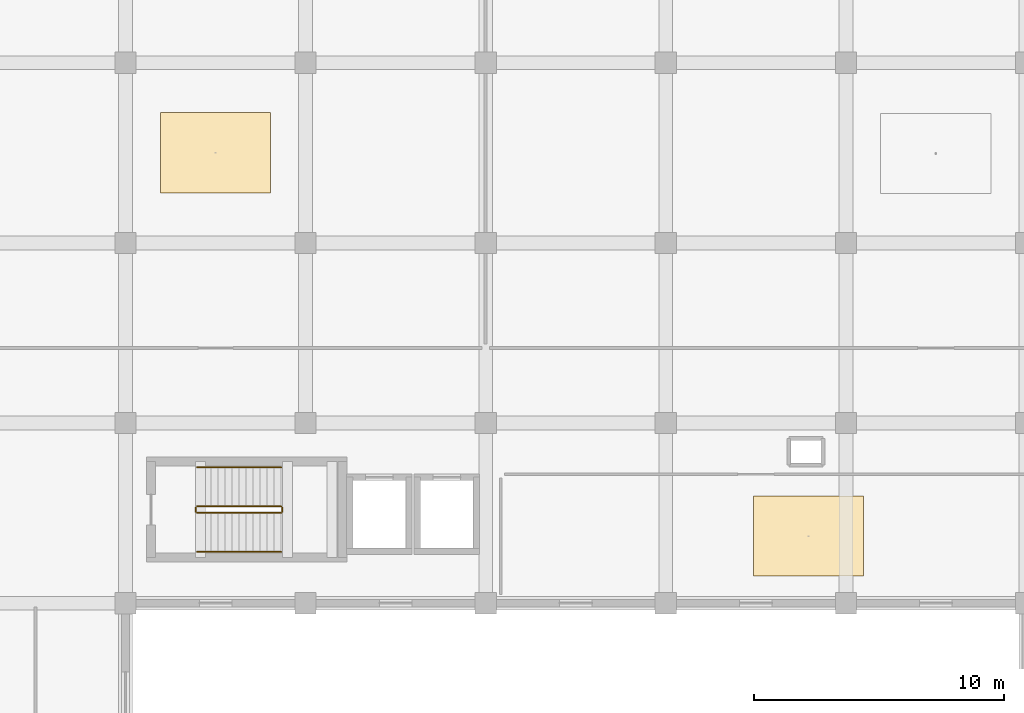
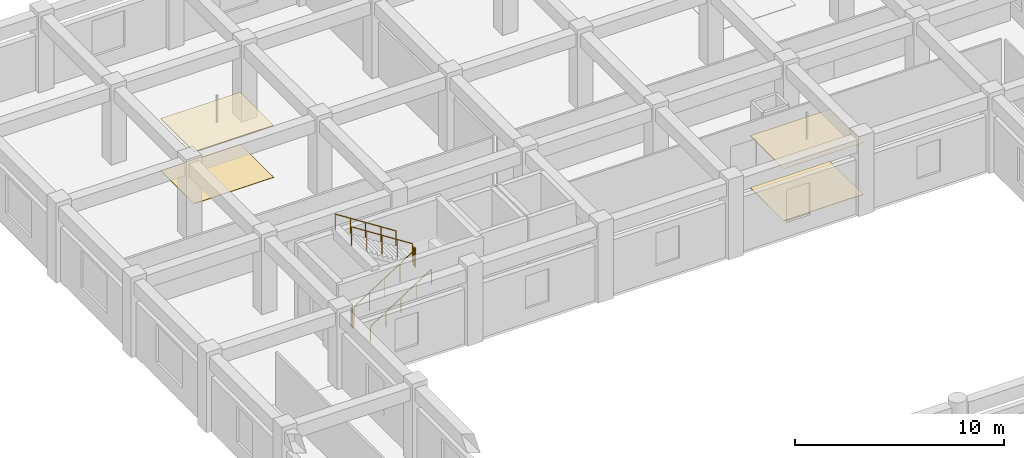
# One storey, part 53 of 54: 6 railings, 4 coverings.
"""IFC4 building model written with IfcOpenShell, lengths in metres."""

from ifc_helpers import new_model, si_unit, direction, frame, origin, origin_2d, place, context, subcontext, project, spatial, rectangle, circle, extrude, material, layer, layer_set, type_object, element, save


model = new_model("IFC4")

# Units and contexts
model_context = context("Model", 3, precision=1e-05, world=origin(), true_north=direction((0.0, 1.0)))
body_context = subcontext(model_context, "Body", "Model", "MODEL_VIEW")
ifc_project = project(units=[si_unit("LENGTHUNIT", "METRE"), si_unit("AREAUNIT", "SQUARE_METRE"), si_unit("VOLUMEUNIT", "CUBIC_METRE"), si_unit("PLANEANGLEUNIT", "RADIAN"), si_unit("MASSUNIT", "GRAM", prefix="KILO")], contexts=[model_context])

# Site, building, storey
site_placement = place(None, origin())
site = spatial("IfcSite", under=ifc_project, at=site_placement, CompositionType="ELEMENT")
building_placement = place(site_placement, origin())
building = spatial("IfcBuilding", under=site, at=building_placement, Name="Kazehaya Institute of Natural Sciences", CompositionType="ELEMENT")
storey_placement = place(building_placement, frame((0.0, 0.0, 10.43994140625)))
storey = spatial("IfcBuildingStorey", under=building, at=storey_placement, Name="L02", CompositionType="ELEMENT", Elevation=10.43994140625)

# Coverings
ifc_material_1 = material(Name="Mineral-fibre acoustic ceiling tile")
ifc_layer_1 = layer(ifc_material_1, 0.02490234375, Name="Mineral-fibre acoustic ceiling tile")
ifc_layer_set_1 = layer_set([ifc_layer_1], Name="Mineral-fibre acoustic ceiling tile")
covering_type_1 = type_object("IfcCoveringType", Name="COV-CEIL-AC", PredefinedType="CEILING", material=ifc_layer_set_1)
for number, where, z_axis, x_axis, name in (
    (1, (72.602294921875, 104.005615234375, 3.027587890625), (0.0, 0.0, 1.0), (1.0, 0.0, 0.0), "L02 Dry Computational Laboratory ceiling 29"),
    (2, (96.300048828125, 88.675048828125, 3.027587890625), (0.0, 0.0, 1.0), (1.0, 0.0, 0.0), "L02 Researcher Write-up Office ceiling 31"),
):
    element("IfcCovering", number, at=place(storey_placement, frame(where, z_axis=z_axis, x_axis=x_axis)), inside=storey, type_object=covering_type_1, Name=name, PredefinedType="CEILING", context=body_context, shape_type="SweptSolid", body=[
        extrude(rectangle(XDim=4.39990234375, YDim=3.199951171875, at=origin_2d()), origin(), (0.0, 0.0, 1.0), 0.02490234375),
    ])
ifc_material_2 = material(Name="Polished Sawara stone terrazzo flooring", Category="masonry")
ifc_layer_2 = layer(ifc_material_2, 0.02001953125, Name="Polished Sawara stone terrazzo flooring", Category="masonry")
ifc_layer_set_2 = layer_set([ifc_layer_2], Name="Polished Sawara stone terrazzo flooring")
covering_type_2 = type_object("IfcCoveringType", Name="COV-FLR-TRZ", PredefinedType="FLOORING", material=ifc_layer_set_2)
for number, where, z_axis, x_axis, name in (
    (3, (72.602294921875, 104.005615234375, 0.0), (0.0, 0.0, 1.0), (1.0, 0.0, 0.0), "L02 Dry Computational Laboratory finish flooring 29"),
    (4, (96.300048828125, 88.675048828125, 0.0), (0.0, 0.0, 1.0), (1.0, 0.0, 0.0), "L02 Researcher Write-up Office finish flooring 31"),
):
    element("IfcCovering", number, at=place(storey_placement, frame(where, z_axis=z_axis, x_axis=x_axis)), inside=storey, type_object=covering_type_2, Name=name, PredefinedType="FLOORING", context=body_context, shape_type="SweptSolid", body=[
        extrude(rectangle(XDim=4.39990234375, YDim=3.199951171875, at=origin_2d()), origin(), (0.0, 0.0, 1.0), 0.02001953125),
    ])

# Railings
ifc_material_3 = material(Name="Structural steel SN490B", Category="steel")
railing_type_1 = type_object("IfcRailingType", Name="RL-STAIR-GRD", PredefinedType="GUARDRAIL", material=ifc_material_3)
railing_1_placement = place(storey_placement, frame((71.860107421875, 89.610107421875, 0.18017578125)))
element("IfcRailing", 5, at=railing_1_placement, inside=storey, type_object=railing_type_1, Name="L02 ST-3 stair guard 1", PredefinedType="GUARDRAIL", context=body_context, shape_type="SweptSolid", body=[
    extrude(circle(Radius=0.02392578125, at=origin_2d()), frame((0.0, 0.0, 1.076171875), z_axis=(0.841178475377, 0.0, 0.540757591313), x_axis=(0.0, 1.0, 0.0)), (0.0, 0.0, 1.0), 3.994140625),
    extrude(circle(Radius=0.02099609375, at=origin_2d()), origin(), (0.0, 0.0, 1.0), 1.052001953125),
    extrude(circle(Radius=0.02099609375, at=origin_2d()), frame((0.83984375, 0.0, 0.5400390625)), (0.0, 0.0, 1.0), 1.052001953125),
    extrude(circle(Radius=0.02099609375, at=origin_2d()), frame((1.679931640625, 0.0, 1.080078125)), (0.0, 0.0, 1.0), 1.052001953125),
    extrude(circle(Radius=0.02099609375, at=origin_2d()), frame((2.52001953125, 0.0, 1.619873046875)), (0.0, 0.0, 1.0), 1.052001953125),
    extrude(circle(Radius=0.02099609375, at=origin_2d()), frame((3.35986328125, 0.0, 2.159912109375)), (0.0, 0.0, 1.0), 1.052001953125),
])
railing_2_placement = place(storey_placement, frame((75.27001953125, 89.659912109375, 2.340087890625)))
element("IfcRailing", 6, at=railing_2_placement, inside=storey, type_object=railing_type_1, Name="L02 ST-3 stair guard 2", PredefinedType="GUARDRAIL", context=body_context, shape_type="SweptSolid", body=[
    extrude(circle(Radius=0.02392578125, at=origin_2d()), frame((0.0, 0.0, 1.076171875), z_axis=(0.0, 1.0, 0.0), x_axis=(-1.0, 0.0, 0.0)), (0.0, 0.0, 1.0), 0.16015625),
    extrude(circle(Radius=0.02099609375, at=origin_2d()), origin(), (0.0, 0.0, 1.0), 1.052001953125),
    extrude(circle(Radius=0.02099609375, at=origin_2d()), frame((0.0, 0.16015625, 0.0)), (0.0, 0.0, 1.0), 1.052001953125),
])
railing_3_placement = place(storey_placement, frame((75.219970703125, 89.8701171875, 2.52001953125)))
element("IfcRailing", 7, at=railing_3_placement, inside=storey, type_object=railing_type_1, Name="L02 ST-3 stair guard 3", PredefinedType="GUARDRAIL", context=body_context, shape_type="SweptSolid", body=[
    extrude(circle(Radius=0.02392578125, at=origin_2d()), frame((0.0, 0.0, 1.076171875), z_axis=(-0.841150671818, 0.0, 0.540800838849), x_axis=(0.0, -1.0, 0.0)), (0.0, 0.0, 1.0), 3.994384765625),
    extrude(circle(Radius=0.02099609375, at=origin_2d()), origin(), (0.0, 0.0, 1.0), 1.052001953125),
    extrude(circle(Radius=0.02099609375, at=origin_2d()), frame((-0.83984375, 0.0, 0.5400390625)), (0.0, 0.0, 1.0), 1.052001953125),
    extrude(circle(Radius=0.02099609375, at=origin_2d()), frame((-1.679931640625, 0.0, 1.080078125)), (0.0, 0.0, 1.0), 1.052001953125),
    extrude(circle(Radius=0.02099609375, at=origin_2d()), frame((-2.52001953125, 0.0, 1.6201171875)), (0.0, 0.0, 1.0), 1.052001953125),
    extrude(circle(Radius=0.02099609375, at=origin_2d()), frame((-3.35986328125, 0.0, 2.16015625)), (0.0, 0.0, 1.0), 1.052001953125),
])
railing_4_placement = place(storey_placement, frame((71.81005859375, 89.659912109375, 0.0)))
element("IfcRailing", 8, at=railing_4_placement, inside=storey, type_object=railing_type_1, Name="L02 ST-3 stair guard 4", PredefinedType="GUARDRAIL", context=body_context, shape_type="SweptSolid", body=[
    extrude(circle(Radius=0.02392578125, at=origin_2d()), frame((0.0, 0.0, 1.076171875), z_axis=(0.0, 1.0, 0.0), x_axis=(-1.0, 0.0, 0.0)), (0.0, 0.0, 1.0), 0.16015625),
    extrude(circle(Radius=0.02099609375, at=origin_2d()), origin(), (0.0, 0.0, 1.0), 1.052001953125),
    extrude(circle(Radius=0.02099609375, at=origin_2d()), frame((0.0, 0.16015625, 0.0)), (0.0, 0.0, 1.0), 1.052001953125),
])
ifc_material_4 = material(Name="Brushed stainless steel handrail", Category="steel")
railing_type_2 = type_object("IfcRailingType", Name="RL-STAIR-HND", PredefinedType="HANDRAIL", material=ifc_material_4)
railing_5_placement = place(storey_placement, frame((71.860107421875, 88.050048828125, 0.18017578125)))
element("IfcRailing", 9, at=railing_5_placement, inside=storey, type_object=railing_type_2, Name="L02 ST-3 stair handrail 1", PredefinedType="HANDRAIL", context=body_context, shape_type="SweptSolid", body=[
    extrude(circle(Radius=0.02392578125, at=origin_2d()), frame((0.0, 0.0, 0.8759765625), z_axis=(0.841178475377, 0.0, 0.540757591313), x_axis=(0.0, 1.0, 0.0)), (0.0, 0.0, 1.0), 3.994140625),
    extrude(circle(Radius=0.02099609375, at=origin_2d()), origin(), (0.0, 0.0, 1.0), 0.851806640625),
    extrude(circle(Radius=0.02099609375, at=origin_2d()), frame((0.83984375, 0.0, 0.5400390625)), (0.0, 0.0, 1.0), 0.851806640625),
    extrude(circle(Radius=0.02099609375, at=origin_2d()), frame((1.679931640625, 0.0, 1.080078125)), (0.0, 0.0, 1.0), 0.851806640625),
    extrude(circle(Radius=0.02099609375, at=origin_2d()), frame((2.52001953125, 0.0, 1.619873046875)), (0.0, 0.0, 1.0), 0.851806640625),
    extrude(circle(Radius=0.02099609375, at=origin_2d()), frame((3.35986328125, 0.0, 2.159912109375)), (0.0, 0.0, 1.0), 0.851806640625),
])
railing_6_placement = place(storey_placement, frame((75.219970703125, 91.429931640625, 2.52001953125)))
element("IfcRailing", 10, at=railing_6_placement, inside=storey, type_object=railing_type_2, Name="L02 ST-3 stair handrail 2", PredefinedType="HANDRAIL", context=body_context, shape_type="SweptSolid", body=[
    extrude(circle(Radius=0.02392578125, at=origin_2d()), frame((0.0, 0.0, 0.8759765625), z_axis=(-0.841150671818, 0.0, 0.540800838849), x_axis=(0.0, -1.0, 0.0)), (0.0, 0.0, 1.0), 3.994384765625),
    extrude(circle(Radius=0.02099609375, at=origin_2d()), origin(), (0.0, 0.0, 1.0), 0.851806640625),
    extrude(circle(Radius=0.02099609375, at=origin_2d()), frame((-0.83984375, 0.0, 0.5400390625)), (0.0, 0.0, 1.0), 0.851806640625),
    extrude(circle(Radius=0.02099609375, at=origin_2d()), frame((-1.679931640625, 0.0, 1.080078125)), (0.0, 0.0, 1.0), 0.851806640625),
    extrude(circle(Radius=0.02099609375, at=origin_2d()), frame((-2.52001953125, 0.0, 1.6201171875)), (0.0, 0.0, 1.0), 0.851806640625),
    extrude(circle(Radius=0.02099609375, at=origin_2d()), frame((-3.35986328125, 0.0, 2.16015625)), (0.0, 0.0, 1.0), 0.851806640625),
])

save(model, "model.ifc")
